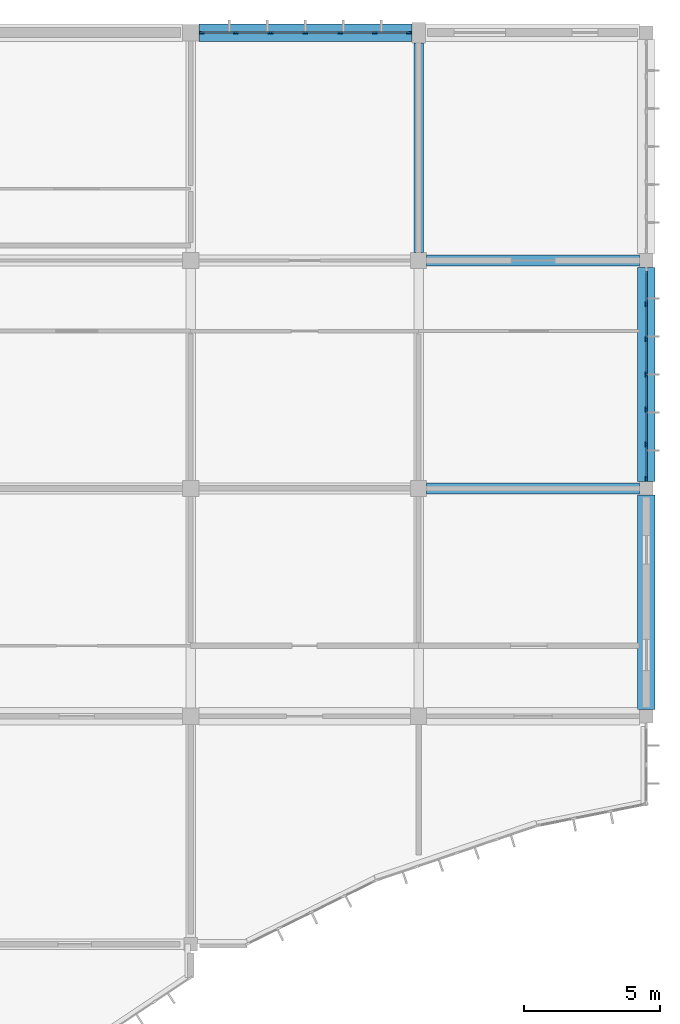
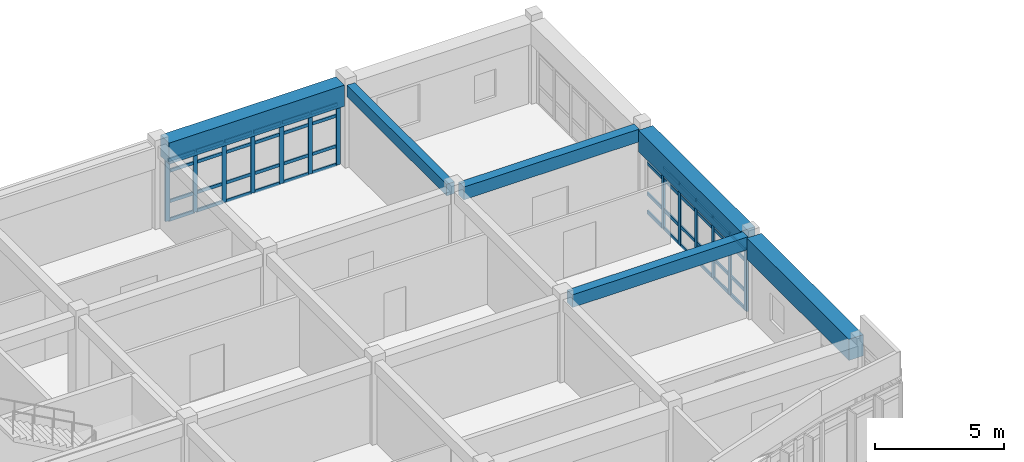
# One storey, part 53 of 119: 60 members, 6 beams, 2 elements without a shape of their own.
"""IFC4 building model written with IfcOpenShell, lengths in metres."""

from ifc_helpers import new_model, si_unit, direction, frame, origin, origin_2d, place, context, subcontext, project, spatial, rectangle, extrude, material, layer, layer_set, material_profile, profile_set, type_object, element, aggregate, save


model = new_model("IFC4")

# Units and contexts
model_context = context("Model", 3, precision=1e-05, world=origin(), true_north=direction((0.0, 1.0)))
body_context = subcontext(model_context, "Body", "Model", "MODEL_VIEW")
ifc_project = project(units=[si_unit("LENGTHUNIT", "METRE"), si_unit("AREAUNIT", "SQUARE_METRE"), si_unit("VOLUMEUNIT", "CUBIC_METRE"), si_unit("PLANEANGLEUNIT", "RADIAN"), si_unit("MASSUNIT", "GRAM", prefix="KILO")], contexts=[model_context])

# Site, building, storey
site_placement = place(None, origin())
site = spatial("IfcSite", under=ifc_project, at=site_placement, CompositionType="ELEMENT")
building_placement = place(site_placement, origin())
building = spatial("IfcBuilding", under=site, at=building_placement, Name="Bramfleet General Hospital", CompositionType="ELEMENT")
storey_placement = place(building_placement, frame((0.0, 0.0, 14.39990234375)))
storey = spatial("IfcBuildingStorey", under=building, at=storey_placement, Name="L03", CompositionType="ELEMENT", Elevation=14.39990234375)

# Beams
ifc_material_1 = material(Name="Concrete C35/45", Category="concrete")
ifc_material_profile_1 = material_profile(ifc_material_1, rectangle(XDim=0.35009765625, YDim=0.550048828125, at=origin_2d()), Name="RC BM 550x350")
ifc_profile_set_1 = profile_set([ifc_material_profile_1], Name="Concrete C35/45")
beam_type_1 = type_object("IfcBeamType", Name="BM-RC550", PredefinedType="BEAM", material=ifc_profile_set_1)
beam_1_placement = place(storey_placement, frame((159.60009765625, 109.5, 3.625), z_axis=(0.0, 1.0, 0.0), x_axis=(-1.0, 0.0, 0.0)))
element("IfcBeam", 1, at=beam_1_placement, inside=storey, type_object=beam_type_1, Name="L03 Grid Beam Y 19-13", PredefinedType="BEAM", context=body_context, shape_type="SweptSolid", body=[
    extrude(rectangle(XDim=0.35009765625, YDim=0.550048828125, at=origin_2d()), origin(), (0.0, 0.0, 1.0), 7.72509765625),
])
ifc_material_profile_2 = material_profile(ifc_material_1, rectangle(XDim=0.39990234375, YDim=0.60009765625, at=origin_2d()), Name="RC BM 600x400")
ifc_profile_set_2 = profile_set([ifc_material_profile_2], Name="Concrete C35/45")
beam_type_2 = type_object("IfcBeamType", Name="BM-RC600", PredefinedType="BEAM", material=ifc_profile_set_2)
for number, where, z_axis, x_axis, name in (
    (2, (159.89990234375, 100.800048828125, 3.60009765625), (1.0, 0.0, 0.0), (0.0, 1.0, 0.0), "L03 Grid Beam X 19-12"),
    (3, (159.89990234375, 109.199951171875, 3.60009765625), (1.0, 0.0, 0.0), (0.0, 1.0, 0.0), "L03 Grid Beam X 19-13"),
):
    element("IfcBeam", number, at=place(storey_placement, frame(where, z_axis=z_axis, x_axis=x_axis)), inside=storey, type_object=beam_type_2, Name=name, PredefinedType="BEAM", context=body_context, shape_type="SweptSolid", body=[
        extrude(rectangle(XDim=0.39990234375, YDim=0.60009765625, at=origin_2d()), origin(), (0.0, 0.0, 1.0), 7.85009765625),
    ])
ifc_material_2 = material(Name="Concrete C40/50", Category="concrete")
ifc_material_profile_3 = material_profile(ifc_material_2, rectangle(XDim=0.64990234375, YDim=1.0, at=origin_2d()), Name="RC TG 1000x650")
ifc_profile_set_3 = profile_set([ifc_material_profile_3], Name="Concrete C40/50")
beam_type_3 = type_object("IfcBeamType", Name="BM-TG1000", PredefinedType="BEAM", material=ifc_profile_set_3)
beam_2_placement = place(storey_placement, frame((151.5, 117.60009765625, 3.400146484375), z_axis=(1.0, 0.0, 0.0), x_axis=(0.0, 1.0, 0.0)))
element("IfcBeam", 4, at=beam_2_placement, inside=storey, type_object=beam_type_3, Name="L03 Transfer Girder X 18-14", PredefinedType="BEAM", context=body_context, shape_type="SweptSolid", body=[
    extrude(rectangle(XDim=0.64990234375, YDim=1.0, at=origin_2d()), origin(), (0.0, 0.0, 1.0), 7.85009765625),
])
beam_3_placement = place(storey_placement, frame((168.0, 92.64990234375, 3.400146484375), z_axis=(0.0, 1.0, 0.0), x_axis=(-1.0, 0.0, 0.0)))
element("IfcBeam", 5, at=beam_3_placement, inside=storey, type_object=beam_type_3, Name="L03 Transfer Girder Y 20-11", PredefinedType="BEAM", context=body_context, shape_type="SweptSolid", body=[
    extrude(rectangle(XDim=0.64990234375, YDim=1.0, at=origin_2d()), origin(), (0.0, 0.0, 1.0), 7.900146484375),
])
beam_4_placement = place(storey_placement, frame((168.0, 101.050048828125, 3.400146484375), z_axis=(0.0, 1.0, 0.0), x_axis=(-1.0, 0.0, 0.0)))
element("IfcBeam", 6, at=beam_4_placement, inside=storey, type_object=beam_type_3, Name="L03 Transfer Girder Y 20-12", PredefinedType="BEAM", context=body_context, shape_type="SweptSolid", body=[
    extrude(rectangle(XDim=0.64990234375, YDim=1.0, at=origin_2d()), origin(), (0.0, 0.0, 1.0), 7.89990234375),
])

# Curtain wall, members
ifc_material_3 = material(Name="Anodised aluminium and low-E triple glazing", Category="aluminium")
ifc_layer_1 = layer(ifc_material_3, 0.179931640625, Name="CWT-CW-03")
ifc_layer_set_1 = layer_set([ifc_layer_1], Name="Anodised aluminium and low-E triple glazing")
curtain_wall_type_1 = type_object("IfcCurtainWallType", Name="CWT-CW-03", PredefinedType="USERDEFINED", material=ifc_layer_set_1)
curtain_wall_1_placement = place(storey_placement, origin())
curtain_wall_1 = element("IfcCurtainWall", 7, at=curtain_wall_1_placement, inside=storey, type_object=curtain_wall_type_1, Name="L03 Curtain Wall 147", ObjectType="Unitised curtain wall", PredefinedType="USERDEFINED")
ifc_material_4 = material(Name="Structural timber GL28h", Category="wood")
ifc_material_profile_4 = material_profile(ifc_material_4, rectangle(XDim=0.070068359375, YDim=0.18994140625, at=origin_2d()), Name="LARCH 190x70")
ifc_profile_set_4 = profile_set([ifc_material_profile_4], Name="Structural timber GL28h")
member_type_1 = type_object("IfcMemberType", Name="CWM-LARCH450", PredefinedType="MULLION", material=ifc_profile_set_4)
member_1_placement = place(storey_placement, frame((151.610107421875, 117.60009765625, 0.0), z_axis=(0.0, 0.0, 1.0), x_axis=(0.0, 1.0, 0.0)))
member_1 = element("IfcMember", 8, at=member_1_placement, type_object=member_type_1, Name="CW-03 mullion 1", PredefinedType="MULLION", context=body_context, shape_type="SweptSolid", body=[
    extrude(rectangle(XDim=0.070068359375, YDim=0.18994140625, at=origin_2d()), origin(), (0.0, 0.0, 1.0), 2.89013671875),
])
member_2_placement = place(storey_placement, frame((152.8583984375, 117.60009765625, 0.0), z_axis=(0.0, 0.0, 1.0), x_axis=(0.0, 1.0, 0.0)))
member_2 = element("IfcMember", 9, at=member_2_placement, type_object=member_type_1, Name="CW-03 mullion 2", PredefinedType="MULLION", context=body_context, shape_type="SweptSolid", body=[
    extrude(rectangle(XDim=0.070068359375, YDim=0.18994140625, at=origin_2d()), origin(), (0.0, 0.0, 1.0), 2.89013671875),
])
member_3_placement = place(storey_placement, frame((154.1416015625, 117.60009765625, 0.0), z_axis=(0.0, 0.0, 1.0), x_axis=(0.0, 1.0, 0.0)))
member_3 = element("IfcMember", 10, at=member_3_placement, type_object=member_type_1, Name="CW-03 mullion 3", PredefinedType="MULLION", context=body_context, shape_type="SweptSolid", body=[
    extrude(rectangle(XDim=0.070068359375, YDim=0.18994140625, at=origin_2d()), origin(), (0.0, 0.0, 1.0), 2.89013671875),
])
member_4_placement = place(storey_placement, frame((155.425048828125, 117.60009765625, 0.0), z_axis=(0.0, 0.0, 1.0), x_axis=(0.0, 1.0, 0.0)))
member_4 = element("IfcMember", 11, at=member_4_placement, type_object=member_type_1, Name="CW-03 mullion 4", PredefinedType="MULLION", context=body_context, shape_type="SweptSolid", body=[
    extrude(rectangle(XDim=0.070068359375, YDim=0.18994140625, at=origin_2d()), origin(), (0.0, 0.0, 1.0), 2.89013671875),
])
member_5_placement = place(storey_placement, frame((156.708251953125, 117.60009765625, 0.0), z_axis=(0.0, 0.0, 1.0), x_axis=(0.0, 1.0, 0.0)))
member_5 = element("IfcMember", 12, at=member_5_placement, type_object=member_type_1, Name="CW-03 mullion 5", PredefinedType="MULLION", context=body_context, shape_type="SweptSolid", body=[
    extrude(rectangle(XDim=0.070068359375, YDim=0.18994140625, at=origin_2d()), origin(), (0.0, 0.0, 1.0), 2.89013671875),
])
member_6_placement = place(storey_placement, frame((157.99169921875, 117.60009765625, 0.0), z_axis=(0.0, 0.0, 1.0), x_axis=(0.0, 1.0, 0.0)))
member_6 = element("IfcMember", 13, at=member_6_placement, type_object=member_type_1, Name="CW-03 mullion 6", PredefinedType="MULLION", context=body_context, shape_type="SweptSolid", body=[
    extrude(rectangle(XDim=0.070068359375, YDim=0.18994140625, at=origin_2d()), origin(), (0.0, 0.0, 1.0), 2.89013671875),
])
member_7_placement = place(storey_placement, frame((159.239990234375, 117.60009765625, 0.0), z_axis=(0.0, 0.0, 1.0), x_axis=(0.0, 1.0, 0.0)))
member_7 = element("IfcMember", 14, at=member_7_placement, type_object=member_type_1, Name="CW-03 mullion 7", PredefinedType="MULLION", context=body_context, shape_type="SweptSolid", body=[
    extrude(rectangle(XDim=0.070068359375, YDim=0.18994140625, at=origin_2d()), origin(), (0.0, 0.0, 1.0), 2.89013671875),
])

ifc_layer_2 = layer(ifc_material_3, 0.179931640625, Name="CWT-CW-05")
ifc_layer_set_2 = layer_set([ifc_layer_2], Name="Anodised aluminium and low-E triple glazing")
curtain_wall_type_2 = type_object("IfcCurtainWallType", Name="CWT-CW-05", PredefinedType="USERDEFINED", material=ifc_layer_set_2)
curtain_wall_2_placement = place(storey_placement, origin())
curtain_wall_2 = element("IfcCurtainWall", 15, at=curtain_wall_2_placement, inside=storey, type_object=curtain_wall_type_2, Name="L03 Curtain Wall 149", ObjectType="Unitised curtain wall", PredefinedType="USERDEFINED")
member_8_placement = place(storey_placement, frame((168.0, 107.583251953125, 0.0), z_axis=(0.0, 0.0, 1.0), x_axis=(1.0, 0.0, 0.0)))
member_8 = element("IfcMember", 16, at=member_8_placement, type_object=member_type_1, Name="CW-05 mullion 2", PredefinedType="MULLION", context=body_context, shape_type="SweptSolid", body=[
    extrude(rectangle(XDim=0.070068359375, YDim=0.18994140625, at=origin_2d()), origin(), (0.0, 0.0, 1.0), 2.89013671875),
])
member_9_placement = place(storey_placement, frame((168.0, 106.291748046875, 0.0), z_axis=(0.0, 0.0, 1.0), x_axis=(1.0, 0.0, 0.0)))
member_9 = element("IfcMember", 17, at=member_9_placement, type_object=member_type_1, Name="CW-05 mullion 3", PredefinedType="MULLION", context=body_context, shape_type="SweptSolid", body=[
    extrude(rectangle(XDim=0.070068359375, YDim=0.18994140625, at=origin_2d()), origin(), (0.0, 0.0, 1.0), 2.89013671875),
])
member_10_placement = place(storey_placement, frame((168.0, 105.0, 0.0), z_axis=(0.0, 0.0, 1.0), x_axis=(1.0, 0.0, 0.0)))
member_10 = element("IfcMember", 18, at=member_10_placement, type_object=member_type_1, Name="CW-05 mullion 4", PredefinedType="MULLION", context=body_context, shape_type="SweptSolid", body=[
    extrude(rectangle(XDim=0.070068359375, YDim=0.18994140625, at=origin_2d()), origin(), (0.0, 0.0, 1.0), 2.89013671875),
])
member_11_placement = place(storey_placement, frame((168.0, 103.708251953125, 0.0), z_axis=(0.0, 0.0, 1.0), x_axis=(1.0, 0.0, 0.0)))
member_11 = element("IfcMember", 19, at=member_11_placement, type_object=member_type_1, Name="CW-05 mullion 5", PredefinedType="MULLION", context=body_context, shape_type="SweptSolid", body=[
    extrude(rectangle(XDim=0.070068359375, YDim=0.18994140625, at=origin_2d()), origin(), (0.0, 0.0, 1.0), 2.89013671875),
])
member_12_placement = place(storey_placement, frame((168.0, 102.416748046875, 0.0), z_axis=(0.0, 0.0, 1.0), x_axis=(1.0, 0.0, 0.0)))
member_12 = element("IfcMember", 20, at=member_12_placement, type_object=member_type_1, Name="CW-05 mullion 6", PredefinedType="MULLION", context=body_context, shape_type="SweptSolid", body=[
    extrude(rectangle(XDim=0.070068359375, YDim=0.18994140625, at=origin_2d()), origin(), (0.0, 0.0, 1.0), 2.89013671875),
])
member_13_placement = place(storey_placement, frame((168.0, 101.159912109375, 0.0), z_axis=(0.0, 0.0, 1.0), x_axis=(1.0, 0.0, 0.0)))
member_13 = element("IfcMember", 21, at=member_13_placement, type_object=member_type_1, Name="CW-05 mullion 7", PredefinedType="MULLION", context=body_context, shape_type="SweptSolid", body=[
    extrude(rectangle(XDim=0.070068359375, YDim=0.18994140625, at=origin_2d()), origin(), (0.0, 0.0, 1.0), 2.89013671875),
])

# Member
ifc_material_profile_5 = material_profile(ifc_material_4, rectangle(XDim=0.06494140625, YDim=0.14990234375, at=origin_2d()), Name="LARCH 150x65")
ifc_profile_set_5 = profile_set([ifc_material_profile_5], Name="Structural timber GL28h")
member_type_2 = type_object("IfcMemberType", Name="CWT-LARCH220", PredefinedType="USERDEFINED", material=ifc_profile_set_5)
member_14_placement = place(storey_placement, frame((151.64501953125, 117.60009765625, 0.03271484375), z_axis=(1.0, 0.0, 0.0), x_axis=(0.0, 1.0, 0.0)))
member_14 = element("IfcMember", 22, at=member_14_placement, type_object=member_type_2, Name="CW-03 transom 1.1", ObjectType="TRANSOM", PredefinedType="USERDEFINED", context=body_context, shape_type="SweptSolid", body=[
    extrude(rectangle(XDim=0.06494140625, YDim=0.14990234375, at=origin_2d()), origin(), (0.0, 0.0, 1.0), 1.17822265625),
])

member_15_placement = place(storey_placement, frame((151.64501953125, 117.60009765625, 0.900146484375), z_axis=(1.0, 0.0, 0.0), x_axis=(0.0, 1.0, 0.0)))
member_15 = element("IfcMember", 23, at=member_15_placement, type_object=member_type_2, Name="CW-03 transom 1.2", ObjectType="TRANSOM", PredefinedType="USERDEFINED", context=body_context, shape_type="SweptSolid", body=[
    extrude(rectangle(XDim=0.06494140625, YDim=0.14990234375, at=origin_2d()), origin(), (0.0, 0.0, 1.0), 1.17822265625),
])

member_16_placement = place(storey_placement, frame((151.64501953125, 117.60009765625, 2.340087890625), z_axis=(1.0, 0.0, 0.0), x_axis=(0.0, 1.0, 0.0)))
member_16 = element("IfcMember", 24, at=member_16_placement, type_object=member_type_2, Name="CW-03 transom 1.3", ObjectType="TRANSOM", PredefinedType="USERDEFINED", context=body_context, shape_type="SweptSolid", body=[
    extrude(rectangle(XDim=0.06494140625, YDim=0.14990234375, at=origin_2d()), origin(), (0.0, 0.0, 1.0), 1.17822265625),
])

member_17_placement = place(storey_placement, frame((151.64501953125, 117.60009765625, 2.857666015625), z_axis=(1.0, 0.0, 0.0), x_axis=(0.0, 1.0, 0.0)))
member_17 = element("IfcMember", 25, at=member_17_placement, type_object=member_type_2, Name="CW-03 transom 1.4", ObjectType="TRANSOM", PredefinedType="USERDEFINED", context=body_context, shape_type="SweptSolid", body=[
    extrude(rectangle(XDim=0.06494140625, YDim=0.14990234375, at=origin_2d()), origin(), (0.0, 0.0, 1.0), 1.17822265625),
])

member_18_placement = place(storey_placement, frame((152.893310546875, 117.60009765625, 0.03271484375), z_axis=(1.0, 0.0, 0.0), x_axis=(0.0, 1.0, 0.0)))
member_18 = element("IfcMember", 26, at=member_18_placement, type_object=member_type_2, Name="CW-03 transom 2.1", ObjectType="TRANSOM", PredefinedType="USERDEFINED", context=body_context, shape_type="SweptSolid", body=[
    extrude(rectangle(XDim=0.06494140625, YDim=0.14990234375, at=origin_2d()), origin(), (0.0, 0.0, 1.0), 1.21337890625),
])

member_19_placement = place(storey_placement, frame((152.893310546875, 117.60009765625, 0.900146484375), z_axis=(1.0, 0.0, 0.0), x_axis=(0.0, 1.0, 0.0)))
member_19 = element("IfcMember", 27, at=member_19_placement, type_object=member_type_2, Name="CW-03 transom 2.2", ObjectType="TRANSOM", PredefinedType="USERDEFINED", context=body_context, shape_type="SweptSolid", body=[
    extrude(rectangle(XDim=0.06494140625, YDim=0.14990234375, at=origin_2d()), origin(), (0.0, 0.0, 1.0), 1.21337890625),
])

member_20_placement = place(storey_placement, frame((152.893310546875, 117.60009765625, 2.340087890625), z_axis=(1.0, 0.0, 0.0), x_axis=(0.0, 1.0, 0.0)))
member_20 = element("IfcMember", 28, at=member_20_placement, type_object=member_type_2, Name="CW-03 transom 2.3", ObjectType="TRANSOM", PredefinedType="USERDEFINED", context=body_context, shape_type="SweptSolid", body=[
    extrude(rectangle(XDim=0.06494140625, YDim=0.14990234375, at=origin_2d()), origin(), (0.0, 0.0, 1.0), 1.21337890625),
])

member_21_placement = place(storey_placement, frame((152.893310546875, 117.60009765625, 2.857666015625), z_axis=(1.0, 0.0, 0.0), x_axis=(0.0, 1.0, 0.0)))
member_21 = element("IfcMember", 29, at=member_21_placement, type_object=member_type_2, Name="CW-03 transom 2.4", ObjectType="TRANSOM", PredefinedType="USERDEFINED", context=body_context, shape_type="SweptSolid", body=[
    extrude(rectangle(XDim=0.06494140625, YDim=0.14990234375, at=origin_2d()), origin(), (0.0, 0.0, 1.0), 1.21337890625),
])

member_22_placement = place(storey_placement, frame((154.1767578125, 117.60009765625, 0.03271484375), z_axis=(1.0, 0.0, 0.0), x_axis=(0.0, 1.0, 0.0)))
member_22 = element("IfcMember", 30, at=member_22_placement, type_object=member_type_2, Name="CW-03 transom 3.1", ObjectType="TRANSOM", PredefinedType="USERDEFINED", context=body_context, shape_type="SweptSolid", body=[
    extrude(rectangle(XDim=0.06494140625, YDim=0.14990234375, at=origin_2d()), origin(), (0.0, 0.0, 1.0), 1.213134765625),
])

member_23_placement = place(storey_placement, frame((154.1767578125, 117.60009765625, 0.900146484375), z_axis=(1.0, 0.0, 0.0), x_axis=(0.0, 1.0, 0.0)))
member_23 = element("IfcMember", 31, at=member_23_placement, type_object=member_type_2, Name="CW-03 transom 3.2", ObjectType="TRANSOM", PredefinedType="USERDEFINED", context=body_context, shape_type="SweptSolid", body=[
    extrude(rectangle(XDim=0.06494140625, YDim=0.14990234375, at=origin_2d()), origin(), (0.0, 0.0, 1.0), 1.213134765625),
])

member_24_placement = place(storey_placement, frame((154.1767578125, 117.60009765625, 2.340087890625), z_axis=(1.0, 0.0, 0.0), x_axis=(0.0, 1.0, 0.0)))
member_24 = element("IfcMember", 32, at=member_24_placement, type_object=member_type_2, Name="CW-03 transom 3.3", ObjectType="TRANSOM", PredefinedType="USERDEFINED", context=body_context, shape_type="SweptSolid", body=[
    extrude(rectangle(XDim=0.06494140625, YDim=0.14990234375, at=origin_2d()), origin(), (0.0, 0.0, 1.0), 1.213134765625),
])

member_25_placement = place(storey_placement, frame((154.1767578125, 117.60009765625, 2.857666015625), z_axis=(1.0, 0.0, 0.0), x_axis=(0.0, 1.0, 0.0)))
member_25 = element("IfcMember", 33, at=member_25_placement, type_object=member_type_2, Name="CW-03 transom 3.4", ObjectType="TRANSOM", PredefinedType="USERDEFINED", context=body_context, shape_type="SweptSolid", body=[
    extrude(rectangle(XDim=0.06494140625, YDim=0.14990234375, at=origin_2d()), origin(), (0.0, 0.0, 1.0), 1.213134765625),
])

member_26_placement = place(storey_placement, frame((155.4599609375, 117.60009765625, 0.03271484375), z_axis=(1.0, 0.0, 0.0), x_axis=(0.0, 1.0, 0.0)))
member_26 = element("IfcMember", 34, at=member_26_placement, type_object=member_type_2, Name="CW-03 transom 4.1", ObjectType="TRANSOM", PredefinedType="USERDEFINED", context=body_context, shape_type="SweptSolid", body=[
    extrude(rectangle(XDim=0.06494140625, YDim=0.14990234375, at=origin_2d()), origin(), (0.0, 0.0, 1.0), 1.21337890625),
])

member_27_placement = place(storey_placement, frame((155.4599609375, 117.60009765625, 0.900146484375), z_axis=(1.0, 0.0, 0.0), x_axis=(0.0, 1.0, 0.0)))
member_27 = element("IfcMember", 35, at=member_27_placement, type_object=member_type_2, Name="CW-03 transom 4.2", ObjectType="TRANSOM", PredefinedType="USERDEFINED", context=body_context, shape_type="SweptSolid", body=[
    extrude(rectangle(XDim=0.06494140625, YDim=0.14990234375, at=origin_2d()), origin(), (0.0, 0.0, 1.0), 1.21337890625),
])

member_28_placement = place(storey_placement, frame((155.4599609375, 117.60009765625, 2.340087890625), z_axis=(1.0, 0.0, 0.0), x_axis=(0.0, 1.0, 0.0)))
member_28 = element("IfcMember", 36, at=member_28_placement, type_object=member_type_2, Name="CW-03 transom 4.3", ObjectType="TRANSOM", PredefinedType="USERDEFINED", context=body_context, shape_type="SweptSolid", body=[
    extrude(rectangle(XDim=0.06494140625, YDim=0.14990234375, at=origin_2d()), origin(), (0.0, 0.0, 1.0), 1.21337890625),
])

member_29_placement = place(storey_placement, frame((155.4599609375, 117.60009765625, 2.857666015625), z_axis=(1.0, 0.0, 0.0), x_axis=(0.0, 1.0, 0.0)))
member_29 = element("IfcMember", 37, at=member_29_placement, type_object=member_type_2, Name="CW-03 transom 4.4", ObjectType="TRANSOM", PredefinedType="USERDEFINED", context=body_context, shape_type="SweptSolid", body=[
    extrude(rectangle(XDim=0.06494140625, YDim=0.14990234375, at=origin_2d()), origin(), (0.0, 0.0, 1.0), 1.21337890625),
])

member_30_placement = place(storey_placement, frame((156.743408203125, 117.60009765625, 0.03271484375), z_axis=(1.0, 0.0, 0.0), x_axis=(0.0, 1.0, 0.0)))
member_30 = element("IfcMember", 38, at=member_30_placement, type_object=member_type_2, Name="CW-03 transom 5.1", ObjectType="TRANSOM", PredefinedType="USERDEFINED", context=body_context, shape_type="SweptSolid", body=[
    extrude(rectangle(XDim=0.06494140625, YDim=0.14990234375, at=origin_2d()), origin(), (0.0, 0.0, 1.0), 1.21337890625),
])

member_31_placement = place(storey_placement, frame((156.743408203125, 117.60009765625, 0.900146484375), z_axis=(1.0, 0.0, 0.0), x_axis=(0.0, 1.0, 0.0)))
member_31 = element("IfcMember", 39, at=member_31_placement, type_object=member_type_2, Name="CW-03 transom 5.2", ObjectType="TRANSOM", PredefinedType="USERDEFINED", context=body_context, shape_type="SweptSolid", body=[
    extrude(rectangle(XDim=0.06494140625, YDim=0.14990234375, at=origin_2d()), origin(), (0.0, 0.0, 1.0), 1.21337890625),
])

member_32_placement = place(storey_placement, frame((156.743408203125, 117.60009765625, 2.340087890625), z_axis=(1.0, 0.0, 0.0), x_axis=(0.0, 1.0, 0.0)))
member_32 = element("IfcMember", 40, at=member_32_placement, type_object=member_type_2, Name="CW-03 transom 5.3", ObjectType="TRANSOM", PredefinedType="USERDEFINED", context=body_context, shape_type="SweptSolid", body=[
    extrude(rectangle(XDim=0.06494140625, YDim=0.14990234375, at=origin_2d()), origin(), (0.0, 0.0, 1.0), 1.21337890625),
])

member_33_placement = place(storey_placement, frame((156.743408203125, 117.60009765625, 2.857666015625), z_axis=(1.0, 0.0, 0.0), x_axis=(0.0, 1.0, 0.0)))
member_33 = element("IfcMember", 41, at=member_33_placement, type_object=member_type_2, Name="CW-03 transom 5.4", ObjectType="TRANSOM", PredefinedType="USERDEFINED", context=body_context, shape_type="SweptSolid", body=[
    extrude(rectangle(XDim=0.06494140625, YDim=0.14990234375, at=origin_2d()), origin(), (0.0, 0.0, 1.0), 1.21337890625),
])

member_34_placement = place(storey_placement, frame((158.026611328125, 117.60009765625, 0.03271484375), z_axis=(1.0, 0.0, 0.0), x_axis=(0.0, 1.0, 0.0)))
member_34 = element("IfcMember", 42, at=member_34_placement, type_object=member_type_2, Name="CW-03 transom 6.1", ObjectType="TRANSOM", PredefinedType="USERDEFINED", context=body_context, shape_type="SweptSolid", body=[
    extrude(rectangle(XDim=0.06494140625, YDim=0.14990234375, at=origin_2d()), origin(), (0.0, 0.0, 1.0), 1.178466796875),
])

member_35_placement = place(storey_placement, frame((158.026611328125, 117.60009765625, 0.900146484375), z_axis=(1.0, 0.0, 0.0), x_axis=(0.0, 1.0, 0.0)))
member_35 = element("IfcMember", 43, at=member_35_placement, type_object=member_type_2, Name="CW-03 transom 6.2", ObjectType="TRANSOM", PredefinedType="USERDEFINED", context=body_context, shape_type="SweptSolid", body=[
    extrude(rectangle(XDim=0.06494140625, YDim=0.14990234375, at=origin_2d()), origin(), (0.0, 0.0, 1.0), 1.178466796875),
])

member_36_placement = place(storey_placement, frame((158.026611328125, 117.60009765625, 2.340087890625), z_axis=(1.0, 0.0, 0.0), x_axis=(0.0, 1.0, 0.0)))
member_36 = element("IfcMember", 44, at=member_36_placement, type_object=member_type_2, Name="CW-03 transom 6.3", ObjectType="TRANSOM", PredefinedType="USERDEFINED", context=body_context, shape_type="SweptSolid", body=[
    extrude(rectangle(XDim=0.06494140625, YDim=0.14990234375, at=origin_2d()), origin(), (0.0, 0.0, 1.0), 1.178466796875),
])

member_37_placement = place(storey_placement, frame((158.026611328125, 117.60009765625, 2.857666015625), z_axis=(1.0, 0.0, 0.0), x_axis=(0.0, 1.0, 0.0)))
member_37 = element("IfcMember", 45, at=member_37_placement, type_object=member_type_2, Name="CW-03 transom 6.4", ObjectType="TRANSOM", PredefinedType="USERDEFINED", context=body_context, shape_type="SweptSolid", body=[
    extrude(rectangle(XDim=0.06494140625, YDim=0.14990234375, at=origin_2d()), origin(), (0.0, 0.0, 1.0), 1.178466796875),
])

aggregate(curtain_wall_1, [member_1, member_2, member_3, member_4, member_5, member_6, member_7, member_14, member_15, member_16, member_17, member_18, member_19, member_20, member_21, member_22, member_23, member_24, member_25, member_26, member_27, member_28, member_29, member_30, member_31, member_32, member_33, member_34, member_35, member_36, member_37])

member_38_placement = place(storey_placement, frame((168.0, 108.804931640625, 0.03271484375), z_axis=(0.0, -1.0, 0.0), x_axis=(1.0, 0.0, 0.0)))
member_38 = element("IfcMember", 46, at=member_38_placement, type_object=member_type_2, Name="CW-05 transom 1.1", ObjectType="TRANSOM", PredefinedType="USERDEFINED", context=body_context, shape_type="SweptSolid", body=[
    extrude(rectangle(XDim=0.06494140625, YDim=0.14990234375, at=origin_2d()), origin(), (0.0, 0.0, 1.0), 1.1865234375),
])

member_39_placement = place(storey_placement, frame((168.0, 108.804931640625, 0.900146484375), z_axis=(0.0, -1.0, 0.0), x_axis=(1.0, 0.0, 0.0)))
member_39 = element("IfcMember", 47, at=member_39_placement, type_object=member_type_2, Name="CW-05 transom 1.2", ObjectType="TRANSOM", PredefinedType="USERDEFINED", context=body_context, shape_type="SweptSolid", body=[
    extrude(rectangle(XDim=0.06494140625, YDim=0.14990234375, at=origin_2d()), origin(), (0.0, 0.0, 1.0), 1.1865234375),
])

member_40_placement = place(storey_placement, frame((168.0, 108.804931640625, 2.340087890625), z_axis=(0.0, -1.0, 0.0), x_axis=(1.0, 0.0, 0.0)))
member_40 = element("IfcMember", 48, at=member_40_placement, type_object=member_type_2, Name="CW-05 transom 1.3", ObjectType="TRANSOM", PredefinedType="USERDEFINED", context=body_context, shape_type="SweptSolid", body=[
    extrude(rectangle(XDim=0.06494140625, YDim=0.14990234375, at=origin_2d()), origin(), (0.0, 0.0, 1.0), 1.1865234375),
])

member_41_placement = place(storey_placement, frame((168.0, 107.54833984375, 0.03271484375), z_axis=(0.0, -1.0, 0.0), x_axis=(1.0, 0.0, 0.0)))
member_41 = element("IfcMember", 49, at=member_41_placement, type_object=member_type_2, Name="CW-05 transom 2.1", ObjectType="TRANSOM", PredefinedType="USERDEFINED", context=body_context, shape_type="SweptSolid", body=[
    extrude(rectangle(XDim=0.06494140625, YDim=0.14990234375, at=origin_2d()), origin(), (0.0, 0.0, 1.0), 1.2216796875),
])

member_42_placement = place(storey_placement, frame((168.0, 107.54833984375, 0.900146484375), z_axis=(0.0, -1.0, 0.0), x_axis=(1.0, 0.0, 0.0)))
member_42 = element("IfcMember", 50, at=member_42_placement, type_object=member_type_2, Name="CW-05 transom 2.2", ObjectType="TRANSOM", PredefinedType="USERDEFINED", context=body_context, shape_type="SweptSolid", body=[
    extrude(rectangle(XDim=0.06494140625, YDim=0.14990234375, at=origin_2d()), origin(), (0.0, 0.0, 1.0), 1.2216796875),
])

member_43_placement = place(storey_placement, frame((168.0, 107.54833984375, 2.340087890625), z_axis=(0.0, -1.0, 0.0), x_axis=(1.0, 0.0, 0.0)))
member_43 = element("IfcMember", 51, at=member_43_placement, type_object=member_type_2, Name="CW-05 transom 2.3", ObjectType="TRANSOM", PredefinedType="USERDEFINED", context=body_context, shape_type="SweptSolid", body=[
    extrude(rectangle(XDim=0.06494140625, YDim=0.14990234375, at=origin_2d()), origin(), (0.0, 0.0, 1.0), 1.2216796875),
])

member_44_placement = place(storey_placement, frame((168.0, 107.54833984375, 2.857666015625), z_axis=(0.0, -1.0, 0.0), x_axis=(1.0, 0.0, 0.0)))
member_44 = element("IfcMember", 52, at=member_44_placement, type_object=member_type_2, Name="CW-05 transom 2.4", ObjectType="TRANSOM", PredefinedType="USERDEFINED", context=body_context, shape_type="SweptSolid", body=[
    extrude(rectangle(XDim=0.06494140625, YDim=0.14990234375, at=origin_2d()), origin(), (0.0, 0.0, 1.0), 1.2216796875),
])

member_45_placement = place(storey_placement, frame((168.0, 106.256591796875, 0.03271484375), z_axis=(0.0, -1.0, 0.0), x_axis=(1.0, 0.0, 0.0)))
member_45 = element("IfcMember", 53, at=member_45_placement, type_object=member_type_2, Name="CW-05 transom 3.1", ObjectType="TRANSOM", PredefinedType="USERDEFINED", context=body_context, shape_type="SweptSolid", body=[
    extrude(rectangle(XDim=0.06494140625, YDim=0.14990234375, at=origin_2d()), origin(), (0.0, 0.0, 1.0), 1.2216796875),
])

member_46_placement = place(storey_placement, frame((168.0, 106.256591796875, 0.900146484375), z_axis=(0.0, -1.0, 0.0), x_axis=(1.0, 0.0, 0.0)))
member_46 = element("IfcMember", 54, at=member_46_placement, type_object=member_type_2, Name="CW-05 transom 3.2", ObjectType="TRANSOM", PredefinedType="USERDEFINED", context=body_context, shape_type="SweptSolid", body=[
    extrude(rectangle(XDim=0.06494140625, YDim=0.14990234375, at=origin_2d()), origin(), (0.0, 0.0, 1.0), 1.2216796875),
])

member_47_placement = place(storey_placement, frame((168.0, 106.256591796875, 2.340087890625), z_axis=(0.0, -1.0, 0.0), x_axis=(1.0, 0.0, 0.0)))
member_47 = element("IfcMember", 55, at=member_47_placement, type_object=member_type_2, Name="CW-05 transom 3.3", ObjectType="TRANSOM", PredefinedType="USERDEFINED", context=body_context, shape_type="SweptSolid", body=[
    extrude(rectangle(XDim=0.06494140625, YDim=0.14990234375, at=origin_2d()), origin(), (0.0, 0.0, 1.0), 1.2216796875),
])

member_48_placement = place(storey_placement, frame((168.0, 106.256591796875, 2.857666015625), z_axis=(0.0, -1.0, 0.0), x_axis=(1.0, 0.0, 0.0)))
member_48 = element("IfcMember", 56, at=member_48_placement, type_object=member_type_2, Name="CW-05 transom 3.4", ObjectType="TRANSOM", PredefinedType="USERDEFINED", context=body_context, shape_type="SweptSolid", body=[
    extrude(rectangle(XDim=0.06494140625, YDim=0.14990234375, at=origin_2d()), origin(), (0.0, 0.0, 1.0), 1.2216796875),
])

member_49_placement = place(storey_placement, frame((168.0, 104.965087890625, 0.03271484375), z_axis=(0.0, -1.0, 0.0), x_axis=(1.0, 0.0, 0.0)))
member_49 = element("IfcMember", 57, at=member_49_placement, type_object=member_type_2, Name="CW-05 transom 4.1", ObjectType="TRANSOM", PredefinedType="USERDEFINED", context=body_context, shape_type="SweptSolid", body=[
    extrude(rectangle(XDim=0.06494140625, YDim=0.14990234375, at=origin_2d()), origin(), (0.0, 0.0, 1.0), 1.2216796875),
])

member_50_placement = place(storey_placement, frame((168.0, 104.965087890625, 0.900146484375), z_axis=(0.0, -1.0, 0.0), x_axis=(1.0, 0.0, 0.0)))
member_50 = element("IfcMember", 58, at=member_50_placement, type_object=member_type_2, Name="CW-05 transom 4.2", ObjectType="TRANSOM", PredefinedType="USERDEFINED", context=body_context, shape_type="SweptSolid", body=[
    extrude(rectangle(XDim=0.06494140625, YDim=0.14990234375, at=origin_2d()), origin(), (0.0, 0.0, 1.0), 1.2216796875),
])

member_51_placement = place(storey_placement, frame((168.0, 104.965087890625, 2.340087890625), z_axis=(0.0, -1.0, 0.0), x_axis=(1.0, 0.0, 0.0)))
member_51 = element("IfcMember", 59, at=member_51_placement, type_object=member_type_2, Name="CW-05 transom 4.3", ObjectType="TRANSOM", PredefinedType="USERDEFINED", context=body_context, shape_type="SweptSolid", body=[
    extrude(rectangle(XDim=0.06494140625, YDim=0.14990234375, at=origin_2d()), origin(), (0.0, 0.0, 1.0), 1.2216796875),
])

member_52_placement = place(storey_placement, frame((168.0, 104.965087890625, 2.857666015625), z_axis=(0.0, -1.0, 0.0), x_axis=(1.0, 0.0, 0.0)))
member_52 = element("IfcMember", 60, at=member_52_placement, type_object=member_type_2, Name="CW-05 transom 4.4", ObjectType="TRANSOM", PredefinedType="USERDEFINED", context=body_context, shape_type="SweptSolid", body=[
    extrude(rectangle(XDim=0.06494140625, YDim=0.14990234375, at=origin_2d()), origin(), (0.0, 0.0, 1.0), 1.2216796875),
])

member_53_placement = place(storey_placement, frame((168.0, 103.67333984375, 0.03271484375), z_axis=(0.0, -1.0, 0.0), x_axis=(1.0, 0.0, 0.0)))
member_53 = element("IfcMember", 61, at=member_53_placement, type_object=member_type_2, Name="CW-05 transom 5.1", ObjectType="TRANSOM", PredefinedType="USERDEFINED", context=body_context, shape_type="SweptSolid", body=[
    extrude(rectangle(XDim=0.06494140625, YDim=0.14990234375, at=origin_2d()), origin(), (0.0, 0.0, 1.0), 1.2216796875),
])

member_54_placement = place(storey_placement, frame((168.0, 103.67333984375, 0.900146484375), z_axis=(0.0, -1.0, 0.0), x_axis=(1.0, 0.0, 0.0)))
member_54 = element("IfcMember", 62, at=member_54_placement, type_object=member_type_2, Name="CW-05 transom 5.2", ObjectType="TRANSOM", PredefinedType="USERDEFINED", context=body_context, shape_type="SweptSolid", body=[
    extrude(rectangle(XDim=0.06494140625, YDim=0.14990234375, at=origin_2d()), origin(), (0.0, 0.0, 1.0), 1.2216796875),
])

member_55_placement = place(storey_placement, frame((168.0, 103.67333984375, 2.340087890625), z_axis=(0.0, -1.0, 0.0), x_axis=(1.0, 0.0, 0.0)))
member_55 = element("IfcMember", 63, at=member_55_placement, type_object=member_type_2, Name="CW-05 transom 5.3", ObjectType="TRANSOM", PredefinedType="USERDEFINED", context=body_context, shape_type="SweptSolid", body=[
    extrude(rectangle(XDim=0.06494140625, YDim=0.14990234375, at=origin_2d()), origin(), (0.0, 0.0, 1.0), 1.2216796875),
])

member_56_placement = place(storey_placement, frame((168.0, 103.67333984375, 2.857666015625), z_axis=(0.0, -1.0, 0.0), x_axis=(1.0, 0.0, 0.0)))
member_56 = element("IfcMember", 64, at=member_56_placement, type_object=member_type_2, Name="CW-05 transom 5.4", ObjectType="TRANSOM", PredefinedType="USERDEFINED", context=body_context, shape_type="SweptSolid", body=[
    extrude(rectangle(XDim=0.06494140625, YDim=0.14990234375, at=origin_2d()), origin(), (0.0, 0.0, 1.0), 1.2216796875),
])

member_57_placement = place(storey_placement, frame((168.0, 102.381591796875, 0.03271484375), z_axis=(0.0, -1.0, 0.0), x_axis=(1.0, 0.0, 0.0)))
member_57 = element("IfcMember", 65, at=member_57_placement, type_object=member_type_2, Name="CW-05 transom 6.1", ObjectType="TRANSOM", PredefinedType="USERDEFINED", context=body_context, shape_type="SweptSolid", body=[
    extrude(rectangle(XDim=0.06494140625, YDim=0.14990234375, at=origin_2d()), origin(), (0.0, 0.0, 1.0), 1.1865234375),
])

member_58_placement = place(storey_placement, frame((168.0, 102.381591796875, 0.900146484375), z_axis=(0.0, -1.0, 0.0), x_axis=(1.0, 0.0, 0.0)))
member_58 = element("IfcMember", 66, at=member_58_placement, type_object=member_type_2, Name="CW-05 transom 6.2", ObjectType="TRANSOM", PredefinedType="USERDEFINED", context=body_context, shape_type="SweptSolid", body=[
    extrude(rectangle(XDim=0.06494140625, YDim=0.14990234375, at=origin_2d()), origin(), (0.0, 0.0, 1.0), 1.1865234375),
])

member_59_placement = place(storey_placement, frame((168.0, 102.381591796875, 2.340087890625), z_axis=(0.0, -1.0, 0.0), x_axis=(1.0, 0.0, 0.0)))
member_59 = element("IfcMember", 67, at=member_59_placement, type_object=member_type_2, Name="CW-05 transom 6.3", ObjectType="TRANSOM", PredefinedType="USERDEFINED", context=body_context, shape_type="SweptSolid", body=[
    extrude(rectangle(XDim=0.06494140625, YDim=0.14990234375, at=origin_2d()), origin(), (0.0, 0.0, 1.0), 1.1865234375),
])

member_60_placement = place(storey_placement, frame((168.0, 102.381591796875, 2.857666015625), z_axis=(0.0, -1.0, 0.0), x_axis=(1.0, 0.0, 0.0)))
member_60 = element("IfcMember", 68, at=member_60_placement, type_object=member_type_2, Name="CW-05 transom 6.4", ObjectType="TRANSOM", PredefinedType="USERDEFINED", context=body_context, shape_type="SweptSolid", body=[
    extrude(rectangle(XDim=0.06494140625, YDim=0.14990234375, at=origin_2d()), origin(), (0.0, 0.0, 1.0), 1.1865234375),
])

aggregate(curtain_wall_2, [member_8, member_9, member_10, member_11, member_12, member_13, member_38, member_39, member_40, member_41, member_42, member_43, member_44, member_45, member_46, member_47, member_48, member_49, member_50, member_51, member_52, member_53, member_54, member_55, member_56, member_57, member_58, member_59, member_60])

save(model, "model.ifc")
